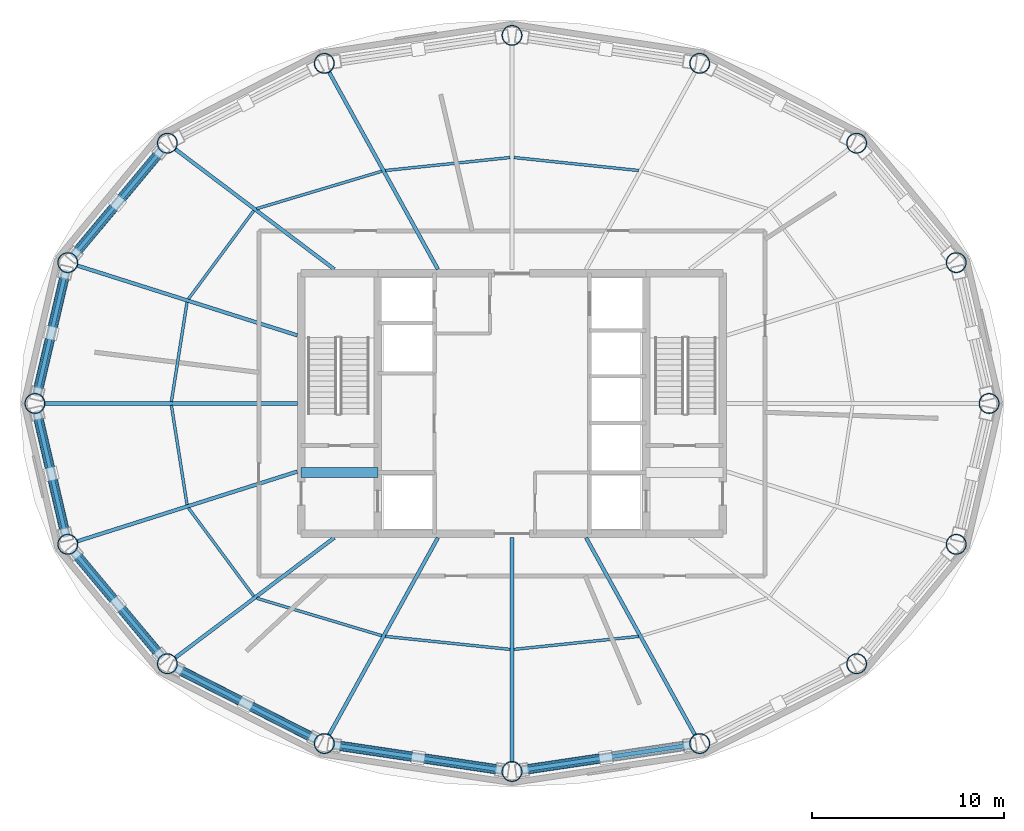
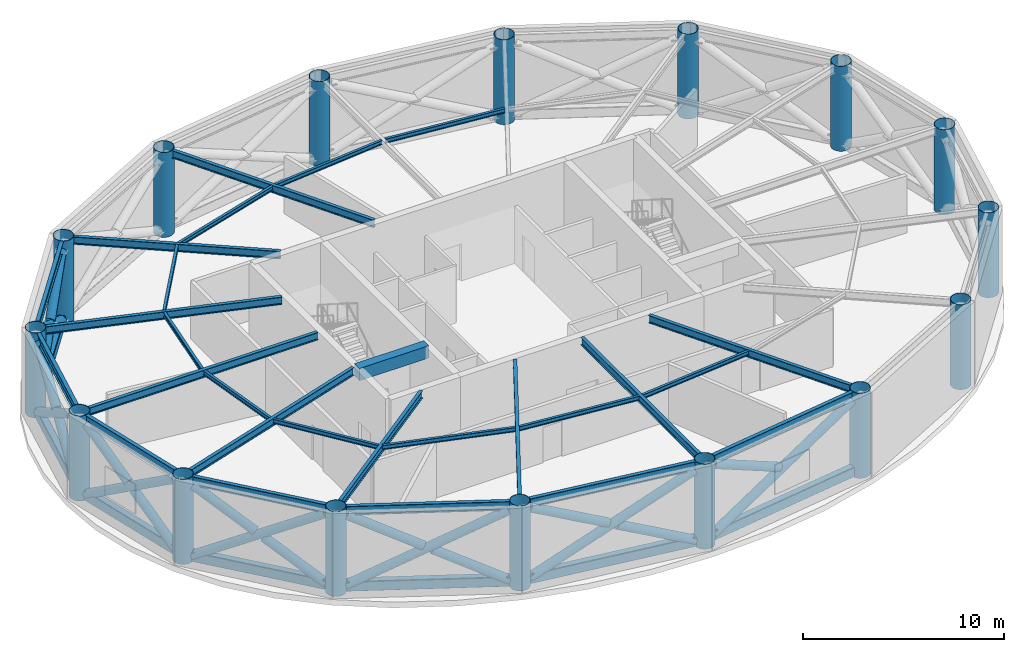
# One storey, part 1 of 7: 27 beams, 27 members, 16 columns.
"""IFC4 building model written with IfcOpenShell, lengths in metres."""

from ifc_helpers import new_model, si_unit, direction, frame, origin, origin_2d, place, context, subcontext, project, spatial, rectangle, hollow_rectangle, hollow_circle, i_section, extrude, material, material_profile, profile_set, type_object, element, save


model = new_model("IFC4")

# Units and contexts
model_context = context("Model", 3, precision=1e-05, world=origin(), true_north=direction((0.0, 1.0)))
body_context = subcontext(model_context, "Body", "Model", "MODEL_VIEW")
ifc_project = project(units=[si_unit("LENGTHUNIT", "METRE"), si_unit("AREAUNIT", "SQUARE_METRE"), si_unit("VOLUMEUNIT", "CUBIC_METRE"), si_unit("PLANEANGLEUNIT", "RADIAN"), si_unit("MASSUNIT", "GRAM", prefix="KILO")], contexts=[model_context])

# Site, building, storey
site_placement = place(None, origin())
site = spatial("IfcSite", under=ifc_project, at=site_placement, CompositionType="ELEMENT")
building_placement = place(site_placement, origin())
building = spatial("IfcBuilding", under=site, at=building_placement, Name="Sarneth Arch Tower", CompositionType="ELEMENT")
storey_placement = place(building_placement, frame((0.0, 0.0, 256.800048828125)))
storey = spatial("IfcBuildingStorey", under=building, at=storey_placement, Name="L66", CompositionType="ELEMENT", Elevation=256.800048828125)

# Columns
ifc_material_1 = material(Name="Steel S355", Category="steel")
ifc_material_profile_1 = material_profile(ifc_material_1, hollow_circle(Radius=0.52490234375, WallThickness=0.028076171875, at=origin_2d()), Name="CHS1050x28")
ifc_profile_set_1 = profile_set([ifc_material_profile_1], Name="Steel S355")
column_type = type_object("IfcColumnType", Name="COL-MEGA-1050", PredefinedType="COLUMN", material=ifc_profile_set_1)
for number, where, z_axis, x_axis, name in (
    (1, (72.88330078125, 42.0, 0.0), (0.0, 0.0, 1.0), (1.0, 0.0, 0.0), "L66 Perimeter mega-column M01"),
    (2, (71.1689453125, 49.347412109375, 0.0), (0.0, 0.0, 1.0), (1.0, 0.0, 0.0), "L66 Perimeter mega-column M02"),
    (3, (65.975341796875, 55.576416015625, 0.0), (0.0, 0.0, 1.0), (1.0, 0.0, 0.0), "L66 Perimeter mega-column M03"),
    (4, (57.790771484375, 59.738525390625, 0.0), (0.0, 0.0, 1.0), (1.0, 0.0, 0.0), "L66 Perimeter mega-column M04"),
    (5, (48.0, 61.199951171875, 0.0), (0.0, 0.0, 1.0), (1.0, 0.0, 0.0), "L66 Perimeter mega-column M05"),
    (6, (38.209228515625, 59.738525390625, 0.0), (0.0, 0.0, 1.0), (1.0, 0.0, 0.0), "L66 Perimeter mega-column M06"),
    (7, (30.024658203125, 55.576416015625, 0.0), (0.0, 0.0, 1.0), (1.0, 0.0, 0.0), "L66 Perimeter mega-column M07"),
    (8, (24.8310546875, 49.347412109375, 0.0), (0.0, 0.0, 1.0), (1.0, 0.0, 0.0), "L66 Perimeter mega-column M08"),
    (9, (23.11669921875, 42.0, 0.0), (0.0, 0.0, 1.0), (1.0, 0.0, 0.0), "L66 Perimeter mega-column M09"),
    (10, (24.8310546875, 34.652587890625, 0.0), (0.0, 0.0, 1.0), (1.0, 0.0, 0.0), "L66 Perimeter mega-column M10"),
    (11, (30.024658203125, 28.423583984375, 0.0), (0.0, 0.0, 1.0), (1.0, 0.0, 0.0), "L66 Perimeter mega-column M11"),
    (12, (38.209228515625, 24.261474609375, 0.0), (0.0, 0.0, 1.0), (1.0, 0.0, 0.0), "L66 Perimeter mega-column M12"),
    (13, (48.0, 22.800048828125, 0.0), (0.0, 0.0, 1.0), (1.0, 0.0, 0.0), "L66 Perimeter mega-column M13"),
    (14, (57.790771484375, 24.261474609375, 0.0), (0.0, 0.0, 1.0), (1.0, 0.0, 0.0), "L66 Perimeter mega-column M14"),
    (15, (65.975341796875, 28.423583984375, 0.0), (0.0, 0.0, 1.0), (1.0, 0.0, 0.0), "L66 Perimeter mega-column M15"),
    (16, (71.1689453125, 34.652587890625, 0.0), (0.0, 0.0, 1.0), (1.0, 0.0, 0.0), "L66 Perimeter mega-column M16"),
):
    element("IfcColumn", number, at=place(storey_placement, frame(where, z_axis=z_axis, x_axis=x_axis)), inside=storey, type_object=column_type, Name=name, PredefinedType="COLUMN", context=body_context, shape_type="SweptSolid", body=[
        extrude(hollow_circle(Radius=0.52490234375, WallThickness=0.028076171875, at=origin_2d()), origin(), (0.0, 0.0, 1.0), 5.169921875),
    ])

# Beams
ifc_material_2 = material(Name="Steel S355", Category="steel")
ifc_material_profile_2 = material_profile(ifc_material_2, i_section(OverallWidth=0.14794921875, OverallDepth=0.26611328125, WebThickness=0.007568359375, FlangeThickness=0.012939453125, FilletRadius=0.012939453125, at=origin_2d()), Name="W250x44.8")
ifc_profile_set_2 = profile_set([ifc_material_profile_2], Name="Steel S355")
beam_type_1 = type_object("IfcBeamType", Name="BM-JOIST-250", PredefinedType="JOIST", material=ifc_profile_set_2)
for number, where, z_axis, x_axis, name in (
    (17, (54.60498046875, 54.1494140625, 5.036865234375), (-0.994616086198, 0.103628379682, 0.0), (-0.103628379682, -0.994616086198, 0.0), "L66 Secondary floor joist 04"),
    (18, (47.904541015625, 54.82763671875, 5.036865234375), (-0.994616086198, -0.103628379682, 0.0), (0.103628379682, -0.994616086198, 0.0), "L66 Secondary floor joist 05"),
):
    element("IfcBeam", number, at=place(storey_placement, frame(where, z_axis=z_axis, x_axis=x_axis)), inside=storey, type_object=beam_type_1, Name=name, PredefinedType="JOIST", context=body_context, shape_type="SweptSolid", body=[
        extrude(i_section(OverallWidth=0.14794921875, OverallDepth=0.26611328125, WebThickness=0.007568359375, FlangeThickness=0.012939453125, FilletRadius=0.012939453125, at=origin_2d()), origin(), (0.0, 0.0, 1.0), 6.544677734375),
    ])
beam_1_placement = place(storey_placement, frame((41.20751953125, 54.11181640625, 5.036865234375), z_axis=(-0.957984908347, -0.286818610589, 0.0), x_axis=(0.286818610589, -0.957984908347, 0.0)))
element("IfcBeam", 19, at=beam_1_placement, inside=storey, type_object=beam_type_1, Name="L66 Secondary floor joist 06", PredefinedType="JOIST", context=body_context, shape_type="SweptSolid", body=[
    extrude(i_section(OverallWidth=0.14794921875, OverallDepth=0.26611328125, WebThickness=0.007568359375, FlangeThickness=0.012939453125, FilletRadius=0.012939453125, at=origin_2d()), origin(), (0.0, 0.0, 1.0), 6.81396484375),
])
beam_2_placement = place(storey_placement, frame((34.53076171875, 52.052734375, 5.036865234375), z_axis=(-0.594853468946, -0.803834156081, 0.0), x_axis=(0.803834156081, -0.594853468946, 0.0)))
element("IfcBeam", 20, at=beam_2_placement, inside=storey, type_object=beam_type_1, Name="L66 Secondary floor joist 07", PredefinedType="JOIST", context=body_context, shape_type="SweptSolid", body=[
    extrude(i_section(OverallWidth=0.14794921875, OverallDepth=0.26611328125, WebThickness=0.007568359375, FlangeThickness=0.012939453125, FilletRadius=0.012939453125, at=origin_2d()), origin(), (0.0, 0.0, 1.0), 5.72900390625),
])
for number, where, z_axis, x_axis, name in (
    (21, (31.05078125, 47.275390625, 5.036865234375), (-0.155393595615, -0.987852635995, 0.0), (0.987852635995, -0.155393595615, 0.0), "L66 Secondary floor joist 08"),
    (22, (30.23583984375, 41.9052734375, 5.036865234375), (0.155393595615, -0.987852635995, 0.0), (0.987852635995, 0.155393595615, 0.0), "L66 Secondary floor joist 09"),
):
    element("IfcBeam", number, at=place(storey_placement, frame(where, z_axis=z_axis, x_axis=x_axis)), inside=storey, type_object=beam_type_1, Name=name, PredefinedType="JOIST", context=body_context, shape_type="SweptSolid", body=[
        extrude(i_section(OverallWidth=0.14794921875, OverallDepth=0.26611328125, WebThickness=0.007568359375, FlangeThickness=0.012939453125, FilletRadius=0.012939453125, at=origin_2d()), origin(), (0.0, 0.0, 1.0), 5.244384765625),
    ])
beam_3_placement = place(storey_placement, frame((31.122802734375, 36.552490234375, 5.036865234375), z_axis=(0.594853468946, -0.803834156081, 0.0), x_axis=(0.803834156081, 0.594853468946, 0.0)))
element("IfcBeam", 23, at=beam_3_placement, inside=storey, type_object=beam_type_1, Name="L66 Secondary floor joist 10", PredefinedType="JOIST", context=body_context, shape_type="SweptSolid", body=[
    extrude(i_section(OverallWidth=0.14794921875, OverallDepth=0.26611328125, WebThickness=0.007568359375, FlangeThickness=0.012939453125, FilletRadius=0.012939453125, at=origin_2d()), origin(), (0.0, 0.0, 1.0), 5.72900390625),
])
beam_4_placement = place(storey_placement, frame((34.679931640625, 31.842529296875, 5.036865234375), z_axis=(0.957984908347, -0.286818610589, 0.0), x_axis=(0.286818610589, 0.957984908347, 0.0)))
element("IfcBeam", 24, at=beam_4_placement, inside=storey, type_object=beam_type_1, Name="L66 Secondary floor joist 11", PredefinedType="JOIST", context=body_context, shape_type="SweptSolid", body=[
    extrude(i_section(OverallWidth=0.14794921875, OverallDepth=0.26611328125, WebThickness=0.007568359375, FlangeThickness=0.012939453125, FilletRadius=0.012939453125, at=origin_2d()), origin(), (0.0, 0.0, 1.0), 6.81396484375),
])
for number, where, z_axis, x_axis, name in (
    (25, (41.39501953125, 29.8505859375, 5.036865234375), (0.994616086198, -0.103628379682, 0.0), (0.103628379682, 0.994616086198, 0.0), "L66 Secondary floor joist 12"),
    (26, (48.095458984375, 29.17236328125, 5.036865234375), (0.994616086198, 0.103628379682, 0.0), (-0.103628379682, 0.994616086198, 0.0), "L66 Secondary floor joist 13"),
):
    element("IfcBeam", number, at=place(storey_placement, frame(where, z_axis=z_axis, x_axis=x_axis)), inside=storey, type_object=beam_type_1, Name=name, PredefinedType="JOIST", context=body_context, shape_type="SweptSolid", body=[
        extrude(i_section(OverallWidth=0.14794921875, OverallDepth=0.26611328125, WebThickness=0.007568359375, FlangeThickness=0.012939453125, FilletRadius=0.012939453125, at=origin_2d()), origin(), (0.0, 0.0, 1.0), 6.544677734375),
    ])
ifc_material_3 = material(Name="Concrete C50/60", Category="concrete")
ifc_material_profile_3 = material_profile(ifc_material_3, rectangle(XDim=0.5, YDim=0.75, at=origin_2d()), Name="RC-500x750")
ifc_profile_set_3 = profile_set([ifc_material_profile_3], Name="Concrete C50/60")
beam_type_2 = type_object("IfcBeamType", Name="BM-LINTEL-RC", PredefinedType="LINTEL", material=ifc_profile_set_3)
beam_5_placement = place(storey_placement, frame((37.0, 38.39990234375, 4.794921875), z_axis=(1.0, 0.0, 0.0), x_axis=(0.0, 1.0, 0.0)))
element("IfcBeam", 27, at=beam_5_placement, inside=storey, type_object=beam_type_2, Name="L66 Core coupling lintel W", PredefinedType="LINTEL", context=body_context, shape_type="SweptSolid", body=[
    extrude(rectangle(XDim=0.5, YDim=0.75, at=origin_2d()), origin(), (0.0, 0.0, 1.0), 4.0),
])
ifc_material_4 = material(Name="Steel S355", Category="steel")
ifc_material_profile_4 = material_profile(ifc_material_4, i_section(OverallWidth=0.19189453125, OverallDepth=0.462890625, WebThickness=0.010498046875, FlangeThickness=0.017578125, FilletRadius=0.01806640625, at=origin_2d()), Name="W460x89")
ifc_profile_set_4 = profile_set([ifc_material_profile_4], Name="Steel S355")
beam_type_3 = type_object("IfcBeamType", Name="BM-RAD-460B", PredefinedType="BEAM", material=ifc_profile_set_4)
beam_6_placement = place(storey_placement, frame((44.13623046875, 49.0, 4.9384765625), z_axis=(-0.483225760768, 0.875495781903, 0.0), x_axis=(-0.875495781903, -0.483225760768, 0.0)))
element("IfcBeam", 28, at=beam_6_placement, inside=storey, type_object=beam_type_3, Name="L66 Radial floor girder 06", PredefinedType="BEAM", context=body_context, shape_type="SweptSolid", body=[
    extrude(i_section(OverallWidth=0.19189453125, OverallDepth=0.462890625, WebThickness=0.010498046875, FlangeThickness=0.017578125, FilletRadius=0.01806640625, at=origin_2d()), origin(), (0.0, 0.0, 1.0), 11.740478515625),
])
beam_7_placement = place(storey_placement, frame((38.73193359375, 49.0, 4.9384765625), z_axis=(-0.79797308069, 0.60269309146, 0.0), x_axis=(-0.60269309146, -0.79797308069, 0.0)))
element("IfcBeam", 29, at=beam_7_placement, inside=storey, type_object=beam_type_3, Name="L66 Radial floor girder 07", PredefinedType="BEAM", context=body_context, shape_type="SweptSolid", body=[
    extrude(i_section(OverallWidth=0.19189453125, OverallDepth=0.462890625, WebThickness=0.010498046875, FlangeThickness=0.017578125, FilletRadius=0.01806640625, at=origin_2d()), origin(), (0.0, 0.0, 1.0), 10.38671875),
])
beam_8_placement = place(storey_placement, frame((36.800048828125, 45.5517578125, 4.9384765625), z_axis=(-0.953216092177, 0.302289731243, 0.0), x_axis=(-0.302289731243, -0.953216092177, 0.0)))
element("IfcBeam", 30, at=beam_8_placement, inside=storey, type_object=beam_type_3, Name="L66 Radial floor girder 08", PredefinedType="BEAM", context=body_context, shape_type="SweptSolid", body=[
    extrude(i_section(OverallWidth=0.19189453125, OverallDepth=0.462890625, WebThickness=0.010498046875, FlangeThickness=0.017578125, FilletRadius=0.01806640625, at=origin_2d()), origin(), (0.0, 0.0, 1.0), 12.031494140625),
])
beam_9_placement = place(storey_placement, frame((36.800048828125, 42.0, 4.9384765625), z_axis=(-1.0, 0.0, 0.0), x_axis=(0.0, -1.0, 0.0)))
element("IfcBeam", 31, at=beam_9_placement, inside=storey, type_object=beam_type_3, Name="L66 Radial floor girder 09", PredefinedType="BEAM", context=body_context, shape_type="SweptSolid", body=[
    extrude(i_section(OverallWidth=0.19189453125, OverallDepth=0.462890625, WebThickness=0.010498046875, FlangeThickness=0.017578125, FilletRadius=0.01806640625, at=origin_2d()), origin(), (0.0, 0.0, 1.0), 13.158203125),
])
beam_10_placement = place(storey_placement, frame((36.800048828125, 38.4482421875, 4.9384765625), z_axis=(-0.953216092177, -0.302289731243, 0.0), x_axis=(0.302289731243, -0.953216092177, 0.0)))
element("IfcBeam", 32, at=beam_10_placement, inside=storey, type_object=beam_type_3, Name="L66 Radial floor girder 10", PredefinedType="BEAM", context=body_context, shape_type="SweptSolid", body=[
    extrude(i_section(OverallWidth=0.19189453125, OverallDepth=0.462890625, WebThickness=0.010498046875, FlangeThickness=0.017578125, FilletRadius=0.01806640625, at=origin_2d()), origin(), (0.0, 0.0, 1.0), 12.031494140625),
])
beam_11_placement = place(storey_placement, frame((38.73193359375, 35.0, 4.9384765625), z_axis=(-0.79797308069, -0.60269309146, 0.0), x_axis=(0.60269309146, -0.79797308069, 0.0)))
element("IfcBeam", 33, at=beam_11_placement, inside=storey, type_object=beam_type_3, Name="L66 Radial floor girder 11", PredefinedType="BEAM", context=body_context, shape_type="SweptSolid", body=[
    extrude(i_section(OverallWidth=0.19189453125, OverallDepth=0.462890625, WebThickness=0.010498046875, FlangeThickness=0.017578125, FilletRadius=0.01806640625, at=origin_2d()), origin(), (0.0, 0.0, 1.0), 10.38671875),
])
beam_12_placement = place(storey_placement, frame((44.13623046875, 35.0, 4.9384765625), z_axis=(-0.483225760768, -0.875495781903, 0.0), x_axis=(0.875495781903, -0.483225760768, 0.0)))
element("IfcBeam", 34, at=beam_12_placement, inside=storey, type_object=beam_type_3, Name="L66 Radial floor girder 12", PredefinedType="BEAM", context=body_context, shape_type="SweptSolid", body=[
    extrude(i_section(OverallWidth=0.19189453125, OverallDepth=0.462890625, WebThickness=0.010498046875, FlangeThickness=0.017578125, FilletRadius=0.01806640625, at=origin_2d()), origin(), (0.0, 0.0, 1.0), 11.740478515625),
])
beam_13_placement = place(storey_placement, frame((48.0, 35.0, 4.9384765625), z_axis=(0.0, -1.0, 0.0), x_axis=(1.0, 0.0, 0.0)))
element("IfcBeam", 35, at=beam_13_placement, inside=storey, type_object=beam_type_3, Name="L66 Radial floor girder 13", PredefinedType="BEAM", context=body_context, shape_type="SweptSolid", body=[
    extrude(i_section(OverallWidth=0.19189453125, OverallDepth=0.462890625, WebThickness=0.010498046875, FlangeThickness=0.017578125, FilletRadius=0.01806640625, at=origin_2d()), origin(), (0.0, 0.0, 1.0), 11.675048828125),
])
beam_14_placement = place(storey_placement, frame((51.86376953125, 35.0, 4.9384765625), z_axis=(0.483225760768, -0.875495781903, 0.0), x_axis=(0.875495781903, 0.483225760768, 0.0)))
element("IfcBeam", 36, at=beam_14_placement, inside=storey, type_object=beam_type_3, Name="L66 Radial floor girder 14", PredefinedType="BEAM", context=body_context, shape_type="SweptSolid", body=[
    extrude(i_section(OverallWidth=0.19189453125, OverallDepth=0.462890625, WebThickness=0.010498046875, FlangeThickness=0.017578125, FilletRadius=0.01806640625, at=origin_2d()), origin(), (0.0, 0.0, 1.0), 11.740478515625),
])
ifc_material_5 = material(Name="Steel S355", Category="steel")
ifc_material_profile_5 = material_profile(ifc_material_5, i_section(OverallWidth=0.2109375, OverallDepth=0.5390625, WebThickness=0.01171875, FlangeThickness=0.018798828125, FilletRadius=0.01806640625, at=origin_2d()), Name="W530x109")
ifc_profile_set_5 = profile_set([ifc_material_profile_5], Name="Steel S355")
beam_type_4 = type_object("IfcBeamType", Name="BM-RAD-530B", PredefinedType="BEAM", material=ifc_profile_set_5)
beam_15_placement = place(storey_placement, frame((29.6884765625, 55.17333984375, 4.900390625), z_axis=(-0.640364654985, -0.76807103099, 0.0), x_axis=(0.76807103099, -0.640364654985, 0.0)))
element("IfcBeam", 37, at=beam_15_placement, inside=storey, type_object=beam_type_4, Name="L66 Perimeter spandrel beam 07", PredefinedType="BEAM", context=body_context, shape_type="SweptSolid", body=[
    extrude(i_section(OverallWidth=0.2109375, OverallDepth=0.5390625, WebThickness=0.01171875, FlangeThickness=0.018798828125, FilletRadius=0.01806640625, at=origin_2d()), origin(), (0.0, 0.0, 1.0), 7.06005859375),
])
for number, where, z_axis, x_axis, name in (
    (38, (24.7119140625, 48.836181640625, 4.900390625), (-0.227230803906, -0.973840932471, 0.0), (0.973840932471, -0.227230803906, 0.0), "L66 Perimeter spandrel beam 08"),
    (39, (23.236083984375, 41.48876953125, 4.900390625), (0.227230803906, -0.973840932471, 0.0), (0.973840932471, 0.227230803906, 0.0), "L66 Perimeter spandrel beam 09"),
):
    element("IfcBeam", number, at=place(storey_placement, frame(where, z_axis=z_axis, x_axis=x_axis)), inside=storey, type_object=beam_type_4, Name=name, PredefinedType="BEAM", context=body_context, shape_type="SweptSolid", body=[
        extrude(i_section(OverallWidth=0.2109375, OverallDepth=0.5390625, WebThickness=0.01171875, FlangeThickness=0.018798828125, FilletRadius=0.01806640625, at=origin_2d()), origin(), (0.0, 0.0, 1.0), 6.494873046875),
    ])
beam_16_placement = place(storey_placement, frame((25.16748046875, 34.249267578125, 4.900390625), z_axis=(0.640364654985, -0.76807103099, 0.0), x_axis=(0.76807103099, 0.640364654985, 0.0)))
element("IfcBeam", 40, at=beam_16_placement, inside=storey, type_object=beam_type_4, Name="L66 Perimeter spandrel beam 10", PredefinedType="BEAM", context=body_context, shape_type="SweptSolid", body=[
    extrude(i_section(OverallWidth=0.2109375, OverallDepth=0.5390625, WebThickness=0.01171875, FlangeThickness=0.018798828125, FilletRadius=0.01806640625, at=origin_2d()), origin(), (0.0, 0.0, 1.0), 7.06005859375),
])
beam_17_placement = place(storey_placement, frame((30.49267578125, 28.185546875, 4.900390625), z_axis=(0.891368271482, -0.453279830342, 0.0), x_axis=(0.453279830342, 0.891368271482, 0.0)))
element("IfcBeam", 41, at=beam_17_placement, inside=storey, type_object=beam_type_4, Name="L66 Perimeter spandrel beam 11", PredefinedType="BEAM", context=body_context, shape_type="SweptSolid", body=[
    extrude(i_section(OverallWidth=0.2109375, OverallDepth=0.5390625, WebThickness=0.01171875, FlangeThickness=0.018798828125, FilletRadius=0.01806640625, at=origin_2d()), origin(), (0.0, 0.0, 1.0), 8.1318359375),
])
for number, where, z_axis, x_axis, name in (
    (42, (38.728515625, 24.18408203125, 4.900390625), (0.989038715098, -0.147656425652, 0.0), (0.147656425652, 0.989038715098, 0.0), "L66 Perimeter spandrel beam 12"),
    (43, (48.519287109375, 22.87744140625, 4.900390625), (0.989038715098, 0.147656425652, 0.0), (-0.147656425652, 0.989038715098, 0.0), "L66 Perimeter spandrel beam 13"),
):
    element("IfcBeam", number, at=place(storey_placement, frame(where, z_axis=z_axis, x_axis=x_axis)), inside=storey, type_object=beam_type_4, Name=name, PredefinedType="BEAM", context=body_context, shape_type="SweptSolid", body=[
        extrude(i_section(OverallWidth=0.2109375, OverallDepth=0.5390625, WebThickness=0.01171875, FlangeThickness=0.018798828125, FilletRadius=0.01806640625, at=origin_2d()), origin(), (0.0, 0.0, 1.0), 8.84912109375),
    ])

# Members
ifc_material_6 = material(Name="Steel S355", Category="steel")
ifc_material_profile_6 = material_profile(ifc_material_6, hollow_rectangle(XDim=0.39990234375, YDim=0.60009765625, WallThickness=0.02197265625, InnerFilletRadius=0.032958984375, OuterFilletRadius=0.054931640625, at=origin_2d()), Name="RHS600x400x22")
ifc_profile_set_6 = profile_set([ifc_material_profile_6], Name="Steel S355")
member_type_1 = type_object("IfcMemberType", Name="MEM-BELT-CHORD", PredefinedType="CHORD", material=ifc_profile_set_6)
member_1_placement = place(storey_placement, frame((29.6884765625, 55.17333984375, 0.349853515625), z_axis=(-0.640364654985, -0.76807103099, 0.0), x_axis=(0.76807103099, -0.640364654985, 0.0)))
element("IfcMember", 44, at=member_1_placement, inside=storey, type_object=member_type_1, Name="L66 Ring belt bottom chord 07", PredefinedType="CHORD", context=body_context, shape_type="SweptSolid", body=[
    extrude(hollow_rectangle(XDim=0.39990234375, YDim=0.60009765625, WallThickness=0.02197265625, InnerFilletRadius=0.032958984375, OuterFilletRadius=0.054931640625, at=origin_2d()), origin(), (0.0, 0.0, 1.0), 7.06005859375),
])
for number, where, z_axis, x_axis, name in (
    (45, (24.7119140625, 48.836181640625, 0.349853515625), (-0.227230803906, -0.973840932471, 0.0), (0.973840932471, -0.227230803906, 0.0), "L66 Ring belt bottom chord 08"),
    (46, (23.236083984375, 41.48876953125, 0.349853515625), (0.227230803906, -0.973840932471, 0.0), (0.973840932471, 0.227230803906, 0.0), "L66 Ring belt bottom chord 09"),
):
    element("IfcMember", number, at=place(storey_placement, frame(where, z_axis=z_axis, x_axis=x_axis)), inside=storey, type_object=member_type_1, Name=name, PredefinedType="CHORD", context=body_context, shape_type="SweptSolid", body=[
        extrude(hollow_rectangle(XDim=0.39990234375, YDim=0.60009765625, WallThickness=0.02197265625, InnerFilletRadius=0.032958984375, OuterFilletRadius=0.054931640625, at=origin_2d()), origin(), (0.0, 0.0, 1.0), 6.494873046875),
    ])
member_2_placement = place(storey_placement, frame((25.16748046875, 34.249267578125, 0.349853515625), z_axis=(0.640364654985, -0.76807103099, 0.0), x_axis=(0.76807103099, 0.640364654985, 0.0)))
element("IfcMember", 47, at=member_2_placement, inside=storey, type_object=member_type_1, Name="L66 Ring belt bottom chord 10", PredefinedType="CHORD", context=body_context, shape_type="SweptSolid", body=[
    extrude(hollow_rectangle(XDim=0.39990234375, YDim=0.60009765625, WallThickness=0.02197265625, InnerFilletRadius=0.032958984375, OuterFilletRadius=0.054931640625, at=origin_2d()), origin(), (0.0, 0.0, 1.0), 7.06005859375),
])
member_3_placement = place(storey_placement, frame((30.49267578125, 28.185546875, 0.349853515625), z_axis=(0.891368271482, -0.453279830342, 0.0), x_axis=(0.453279830342, 0.891368271482, 0.0)))
element("IfcMember", 48, at=member_3_placement, inside=storey, type_object=member_type_1, Name="L66 Ring belt bottom chord 11", PredefinedType="CHORD", context=body_context, shape_type="SweptSolid", body=[
    extrude(hollow_rectangle(XDim=0.39990234375, YDim=0.60009765625, WallThickness=0.02197265625, InnerFilletRadius=0.032958984375, OuterFilletRadius=0.054931640625, at=origin_2d()), origin(), (0.0, 0.0, 1.0), 8.1318359375),
])
for number, where, z_axis, x_axis, name in (
    (49, (38.728515625, 24.18408203125, 0.349853515625), (0.989038715098, -0.147656425652, 0.0), (0.147656425652, 0.989038715098, 0.0), "L66 Ring belt bottom chord 12"),
    (50, (48.519287109375, 22.87744140625, 0.349853515625), (0.989038715098, 0.147656425652, 0.0), (-0.147656425652, 0.989038715098, 0.0), "L66 Ring belt bottom chord 13"),
):
    element("IfcMember", number, at=place(storey_placement, frame(where, z_axis=z_axis, x_axis=x_axis)), inside=storey, type_object=member_type_1, Name=name, PredefinedType="CHORD", context=body_context, shape_type="SweptSolid", body=[
        extrude(hollow_rectangle(XDim=0.39990234375, YDim=0.60009765625, WallThickness=0.02197265625, InnerFilletRadius=0.032958984375, OuterFilletRadius=0.054931640625, at=origin_2d()), origin(), (0.0, 0.0, 1.0), 8.84912109375),
    ])
ifc_material_7 = material(Name="Steel S355", Category="steel")
ifc_material_profile_7 = material_profile(ifc_material_7, hollow_circle(Radius=0.25390625, WallThickness=0.01611328125, at=origin_2d()), Name="CHS508x16")
ifc_profile_set_7 = profile_set([ifc_material_profile_7], Name="Steel S355")
member_type_2 = type_object("IfcMemberType", Name="MEM-BELT-DIAG2", PredefinedType="BRACE", material=ifc_profile_set_7)
member_4_placement = place(storey_placement, frame((29.6884765625, 55.17333984375, 0.349853515625), z_axis=(-0.548250978468, -0.657587346514, 0.516720181834), x_axis=(0.76807103099, -0.640364654985, 0.0)))
element("IfcMember", 51, at=member_4_placement, inside=storey, type_object=member_type_2, Name="L66 Ring belt continuous diagonal A07", PredefinedType="BRACE", context=body_context, shape_type="SweptSolid", body=[
    extrude(hollow_circle(Radius=0.25390625, WallThickness=0.01611328125, at=origin_2d()), origin(), (0.0, 0.0, 1.0), 8.246337890625),
])
member_5_placement = place(storey_placement, frame((25.16748046875, 49.750732421875, 0.349853515625), z_axis=(0.548260879091, 0.657560070209, 0.516744387996), x_axis=(-0.768052278246, 0.640387146874, 0.0)))
element("IfcMember", 52, at=member_5_placement, inside=storey, type_object=member_type_2, Name="L66 Ring belt split diagonal B1-07", PredefinedType="BRACE", context=body_context, shape_type="SweptSolid", body=[
    extrude(hollow_circle(Radius=0.25390625, WallThickness=0.01611328125, at=origin_2d()), origin(), (0.0, 0.0, 1.0), 3.873291015625),
])
member_6_placement = place(storey_placement, frame((27.56494140625, 52.62646484375, 2.609619140625), z_axis=(0.548278736795, 0.657581487956, 0.516698184123), x_axis=(-0.768052278246, 0.640387146874, 0.0)))
element("IfcMember", 53, at=member_6_placement, inside=storey, type_object=member_type_2, Name="L66 Ring belt split diagonal B2-07", PredefinedType="BRACE", context=body_context, shape_type="SweptSolid", body=[
    extrude(hollow_circle(Radius=0.25390625, WallThickness=0.01611328125, at=origin_2d()), origin(), (0.0, 0.0, 1.0), 3.873046875),
])
member_7_placement = place(storey_placement, frame((24.7119140625, 48.836181640625, 0.349853515625), z_axis=(-0.189992734187, -0.814250085126, 0.548543124858), x_axis=(0.973840932471, -0.227230803906, 0.0)))
element("IfcMember", 54, at=member_7_placement, inside=storey, type_object=member_type_2, Name="L66 Ring belt continuous diagonal A08", PredefinedType="BRACE", context=body_context, shape_type="SweptSolid", body=[
    extrude(hollow_circle(Radius=0.25390625, WallThickness=0.01611328125, at=origin_2d()), origin(), (0.0, 0.0, 1.0), 7.767822265625),
])
member_8_placement = place(storey_placement, frame((23.236083984375, 42.51123046875, 0.349853515625), z_axis=(0.18999164462, 0.814249905512, 0.548543768854), x_axis=(-0.973841209742, 0.227229615606, 0.0)))
element("IfcMember", 55, at=member_8_placement, inside=storey, type_object=member_type_2, Name="L66 Ring belt split diagonal B1-08", PredefinedType="BRACE", context=body_context, shape_type="SweptSolid", body=[
    extrude(hollow_circle(Radius=0.25390625, WallThickness=0.01611328125, at=origin_2d()), origin(), (0.0, 0.0, 1.0), 3.634033203125),
])
member_9_placement = place(storey_placement, frame((24.021484375, 45.87744140625, 2.61767578125), z_axis=(0.190009040962, 0.814257272778, 0.548526807076), x_axis=(-0.973837060523, 0.227247397241, 0.0)))
element("IfcMember", 56, at=member_9_placement, inside=storey, type_object=member_type_2, Name="L66 Ring belt split diagonal B2-08", PredefinedType="BRACE", context=body_context, shape_type="SweptSolid", body=[
    extrude(hollow_circle(Radius=0.25390625, WallThickness=0.01611328125, at=origin_2d()), origin(), (0.0, 0.0, 1.0), 3.6337890625),
])
member_10_placement = place(storey_placement, frame((23.236083984375, 41.48876953125, 0.349853515625), z_axis=(0.189992734187, -0.814250085126, 0.548543124858), x_axis=(0.973840932471, 0.227230803906, 0.0)))
element("IfcMember", 57, at=member_10_placement, inside=storey, type_object=member_type_2, Name="L66 Ring belt continuous diagonal A09", PredefinedType="BRACE", context=body_context, shape_type="SweptSolid", body=[
    extrude(hollow_circle(Radius=0.25390625, WallThickness=0.01611328125, at=origin_2d()), origin(), (0.0, 0.0, 1.0), 7.767822265625),
])
for number, where, z_axis, x_axis, name in (
    (58, (24.7119140625, 35.163818359375, 0.349853515625), (-0.190002038196, 0.814227263403, 0.548573777183), (-0.973837060523, -0.227247397241, 0.0), "L66 Ring belt split diagonal B1-09"),
    (59, (23.926513671875, 38.52978515625, 2.61767578125), (-0.189998646236, 0.814279912438, 0.548496799105), (-0.973841209742, -0.227229615606, 0.0), "L66 Ring belt split diagonal B2-09"),
):
    element("IfcMember", number, at=place(storey_placement, frame(where, z_axis=z_axis, x_axis=x_axis)), inside=storey, type_object=member_type_2, Name=name, PredefinedType="BRACE", context=body_context, shape_type="SweptSolid", body=[
        extrude(hollow_circle(Radius=0.25390625, WallThickness=0.01611328125, at=origin_2d()), origin(), (0.0, 0.0, 1.0), 3.6337890625),
    ])
member_11_placement = place(storey_placement, frame((25.16748046875, 34.249267578125, 0.349853515625), z_axis=(0.548250978468, -0.657587346514, 0.516720181834), x_axis=(0.76807103099, 0.640364654985, 0.0)))
element("IfcMember", 60, at=member_11_placement, inside=storey, type_object=member_type_2, Name="L66 Ring belt continuous diagonal A10", PredefinedType="BRACE", context=body_context, shape_type="SweptSolid", body=[
    extrude(hollow_circle(Radius=0.25390625, WallThickness=0.01611328125, at=origin_2d()), origin(), (0.0, 0.0, 1.0), 8.246337890625),
])
member_12_placement = place(storey_placement, frame((29.6884765625, 28.82666015625, 0.349853515625), z_axis=(-0.548260879091, 0.657560070209, 0.516744387996), x_axis=(-0.768052278246, -0.640387146874, 0.0)))
element("IfcMember", 61, at=member_12_placement, inside=storey, type_object=member_type_2, Name="L66 Ring belt split diagonal B1-10", PredefinedType="BRACE", context=body_context, shape_type="SweptSolid", body=[
    extrude(hollow_circle(Radius=0.25390625, WallThickness=0.01611328125, at=origin_2d()), origin(), (0.0, 0.0, 1.0), 3.873291015625),
])
member_13_placement = place(storey_placement, frame((27.291015625, 31.702392578125, 2.609619140625), z_axis=(-0.548278736795, 0.657581487956, 0.516698184123), x_axis=(-0.768052278246, -0.640387146874, 0.0)))
element("IfcMember", 62, at=member_13_placement, inside=storey, type_object=member_type_2, Name="L66 Ring belt split diagonal B2-10", PredefinedType="BRACE", context=body_context, shape_type="SweptSolid", body=[
    extrude(hollow_circle(Radius=0.25390625, WallThickness=0.01611328125, at=origin_2d()), origin(), (0.0, 0.0, 1.0), 3.873046875),
])
member_14_placement = place(storey_placement, frame((30.49267578125, 28.185546875, 0.349853515625), z_axis=(0.789545871905, -0.401500962412, 0.464127453767), x_axis=(0.453279830342, 0.891368271482, 0.0)))
element("IfcMember", 63, at=member_14_placement, inside=storey, type_object=member_type_2, Name="L66 Ring belt continuous diagonal A11", PredefinedType="BRACE", context=body_context, shape_type="SweptSolid", body=[
    extrude(hollow_circle(Radius=0.25390625, WallThickness=0.01611328125, at=origin_2d()), origin(), (0.0, 0.0, 1.0), 9.1806640625),
])
for number, where, z_axis, x_axis, name in (
    (64, (37.7412109375, 24.49951171875, 0.349853515625), (-0.789516929636, 0.401508395821, 0.464170255298), (-0.453299700411, -0.891358166849, 0.0), "L66 Ring belt split diagonal B1-11"),
    (65, (33.919677734375, 26.44287109375, 2.596435546875), (-0.789558727326, 0.401501046923, 0.46410551109), (-0.453274042271, -0.891371214816, 0.0), "L66 Ring belt split diagonal B2-11"),
):
    element("IfcMember", number, at=place(storey_placement, frame(where, z_axis=z_axis, x_axis=x_axis)), inside=storey, type_object=member_type_2, Name=name, PredefinedType="BRACE", context=body_context, shape_type="SweptSolid", body=[
        extrude(hollow_circle(Radius=0.25390625, WallThickness=0.01611328125, at=origin_2d()), origin(), (0.0, 0.0, 1.0), 4.34033203125),
    ])
member_15_placement = place(storey_placement, frame((38.728515625, 24.18408203125, 0.349853515625), z_axis=(0.891115204761, -0.133037144017, 0.433837308396), x_axis=(0.147656425652, 0.989038715098, 0.0)))
element("IfcMember", 66, at=member_15_placement, inside=storey, type_object=member_type_2, Name="L66 Ring belt continuous diagonal A12", PredefinedType="BRACE", context=body_context, shape_type="SweptSolid", body=[
    extrude(hollow_circle(Radius=0.25390625, WallThickness=0.01611328125, at=origin_2d()), origin(), (0.0, 0.0, 1.0), 9.821533203125),
])
for number, where, z_axis, x_axis, name in (
    (67, (47.480712890625, 22.87744140625, 0.349853515625), (-0.891098621297, 0.133046702216, 0.433868438761), (-0.147669491046, -0.98903676444, 0.0), "L66 Ring belt split diagonal B1-12"),
    (68, (42.8818359375, 23.56396484375, 2.5888671875), (-0.891118872126, 0.133049725794, 0.433825916938), (-0.147669491046, -0.98903676444, 0.0), "L66 Ring belt split diagonal B2-12"),
):
    element("IfcMember", number, at=place(storey_placement, frame(where, z_axis=z_axis, x_axis=x_axis)), inside=storey, type_object=member_type_2, Name=name, PredefinedType="BRACE", context=body_context, shape_type="SweptSolid", body=[
        extrude(hollow_circle(Radius=0.25390625, WallThickness=0.01611328125, at=origin_2d()), origin(), (0.0, 0.0, 1.0), 4.660888671875),
    ])
member_16_placement = place(storey_placement, frame((48.519287109375, 22.87744140625, 0.349853515625), z_axis=(0.891115204761, 0.133037144017, 0.433837308396), x_axis=(-0.147656425652, 0.989038715098, 0.0)))
element("IfcMember", 69, at=member_16_placement, inside=storey, type_object=member_type_2, Name="L66 Ring belt continuous diagonal A13", PredefinedType="BRACE", context=body_context, shape_type="SweptSolid", body=[
    extrude(hollow_circle(Radius=0.25390625, WallThickness=0.01611328125, at=origin_2d()), origin(), (0.0, 0.0, 1.0), 9.821533203125),
])
member_17_placement = place(storey_placement, frame((52.672607421875, 23.49755859375, 2.5888671875), z_axis=(-0.891118872126, -0.133049725794, 0.433825916938), x_axis=(0.147669491046, -0.98903676444, 0.0)))
element("IfcMember", 70, at=member_17_placement, inside=storey, type_object=member_type_2, Name="L66 Ring belt split diagonal B2-13", PredefinedType="BRACE", context=body_context, shape_type="SweptSolid", body=[
    extrude(hollow_circle(Radius=0.25390625, WallThickness=0.01611328125, at=origin_2d()), origin(), (0.0, 0.0, 1.0), 4.660888671875),
])

save(model, "model.ifc")
